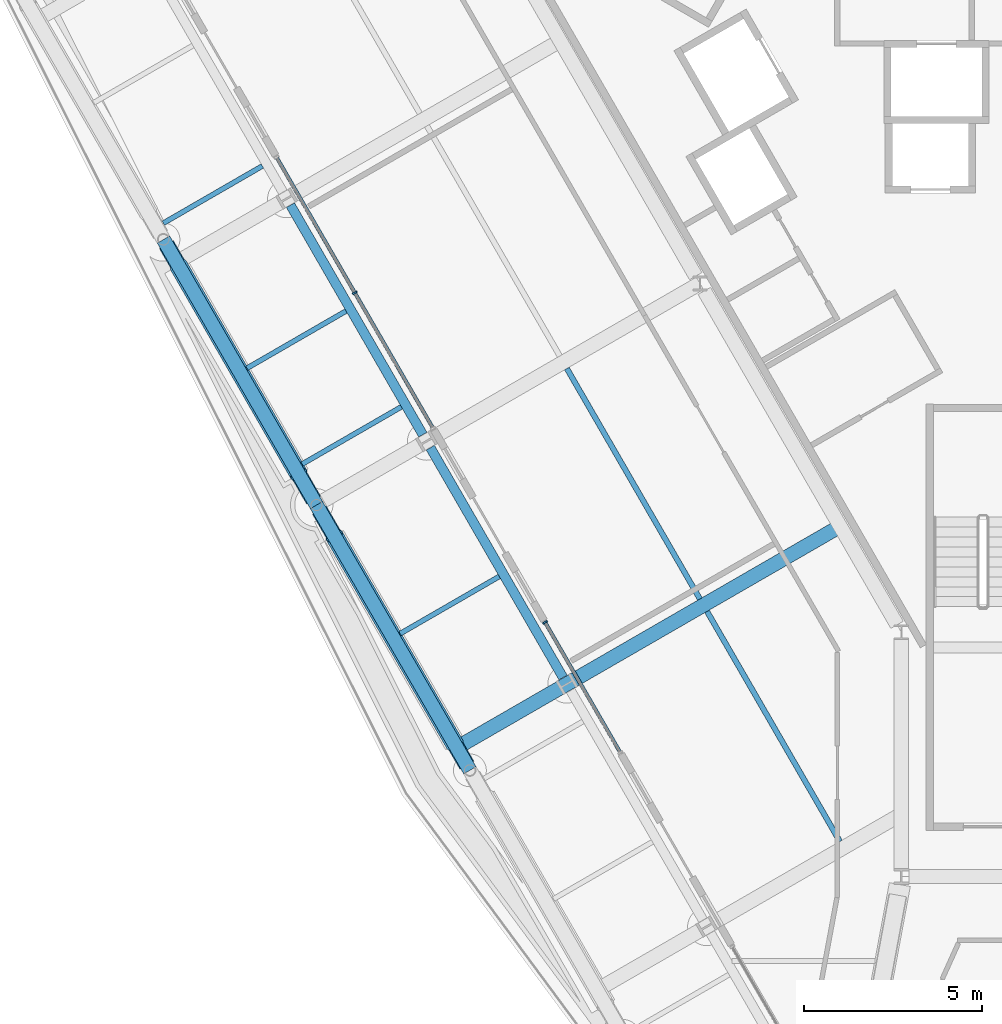
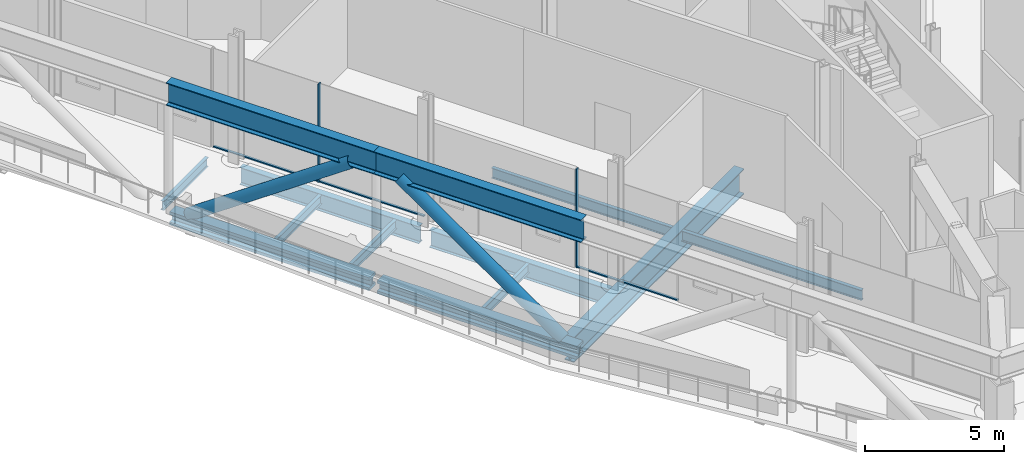
# One storey, part 6 of 26: 13 beams, 7 members, 2 elements without a shape of their own.
"""IFC4 building model written with IfcOpenShell, lengths in metres."""

from ifc_helpers import new_model, si_unit, direction, frame, origin, origin_2d, place, context, subcontext, project, spatial, rectangle, hollow_circle, i_section, extrude, material, material_profile, profile_set, type_object, element, aggregate, save


model = new_model("IFC4")

# Units and contexts
model_context = context("Model", 3, precision=1e-05, world=origin(), true_north=direction((0.0, 1.0)))
body_context = subcontext(model_context, "Body", "Model", "MODEL_VIEW")
ifc_project = project(units=[si_unit("LENGTHUNIT", "METRE"), si_unit("AREAUNIT", "SQUARE_METRE"), si_unit("VOLUMEUNIT", "CUBIC_METRE"), si_unit("PLANEANGLEUNIT", "RADIAN"), si_unit("MASSUNIT", "GRAM", prefix="KILO")], contexts=[model_context])

# Site, building, storey
site_placement = place(None, origin())
site = spatial("IfcSite", under=ifc_project, at=site_placement, CompositionType="ELEMENT")
building_placement = place(site_placement, origin())
building = spatial("IfcBuilding", under=site, at=building_placement, Name="Verrane Prism Tower", CompositionType="ELEMENT")
storey_placement = place(building_placement, frame((0.0, 0.0, 87.199951171875)))
storey = spatial("IfcBuildingStorey", under=building, at=storey_placement, Name="L20", CompositionType="ELEMENT", Elevation=87.199951171875)

# Beams
ifc_material_1 = material(Name="Steel A992", Category="steel")
ifc_material_profile_1 = material_profile(ifc_material_1, i_section(OverallWidth=0.45458984375, OverallDepth=0.56884765625, WebThickness=0.077880859375, FlangeThickness=0.124755859375, FilletRadius=0.01513671875, at=origin_2d()), Name="W14x730")
ifc_profile_set_1 = profile_set([ifc_material_profile_1], Name="Steel A992")
beam_type_1 = type_object("IfcBeamType", Name="Belt truss chord W14x730", PredefinedType="BEAM", material=ifc_profile_set_1)
beam_1_placement = place(storey_placement, frame((-22.998779296875, -3.5009765625, -0.445556640625), z_axis=(0.499237299608, -0.866465301486, 0.0), x_axis=(0.866465301486, 0.499237299608, 0.0)))
element("IfcBeam", 1, at=beam_1_placement, inside=storey, type_object=beam_type_1, Name="Belt truss chord L20", PredefinedType="BEAM", context=body_context, shape_type="SweptSolid", body=[
    extrude(i_section(OverallWidth=0.45458984375, OverallDepth=0.56884765625, WebThickness=0.077880859375, FlangeThickness=0.124755859375, FilletRadius=0.01513671875, at=origin_2d()), origin(), (0.0, 0.0, 1.0), 8.3076171875),
])
beam_2_placement = place(storey_placement, frame((-18.688720703125, -10.980712890625, -0.445556640625), z_axis=(0.500628270496, -0.865662367658, 0.0), x_axis=(0.865662367658, 0.500628270496, 0.0)))
element("IfcBeam", 2, at=beam_2_placement, inside=storey, type_object=beam_type_1, Name="Belt truss chord L20", PredefinedType="BEAM", context=body_context, shape_type="SweptSolid", body=[
    extrude(i_section(OverallWidth=0.45458984375, OverallDepth=0.56884765625, WebThickness=0.077880859375, FlangeThickness=0.124755859375, FilletRadius=0.01513671875, at=origin_2d()), origin(), (0.0, 0.0, 1.0), 8.303955078125),
])
ifc_material_2 = material(Name="Steel A992", Category="steel")
ifc_material_profile_2 = material_profile(ifc_material_2, i_section(OverallWidth=0.4013671875, OverallDepth=1.000732421875, WebThickness=0.01904296875, FlangeThickness=0.0361328125, FilletRadius=0.030029296875, at=origin_2d()), Name="W40x249")
ifc_profile_set_2 = profile_set([ifc_material_profile_2], Name="Steel A992")
beam_type_2 = type_object("IfcBeamType", Name="Belt truss chord W40x249", PredefinedType="BEAM", material=ifc_profile_set_2)
beam_3_placement = place(storey_placement, frame((-23.080078125, -3.360107421875, 4.939697265625), z_axis=(0.499260481273, -0.866451944333, 0.0), x_axis=(0.866451944333, 0.499260481273, 0.0)))
element("IfcBeam", 3, at=beam_3_placement, inside=storey, type_object=beam_type_2, Name="Belt truss chord L20", PredefinedType="BEAM", context=body_context, shape_type="SweptSolid", body=[
    extrude(i_section(OverallWidth=0.4013671875, OverallDepth=1.000732421875, WebThickness=0.01904296875, FlangeThickness=0.0361328125, FilletRadius=0.030029296875, at=origin_2d()), origin(), (0.0, 0.0, 1.0), 8.6328125),
])
beam_4_placement = place(storey_placement, frame((-18.77001953125, -10.840087890625, 4.939697265625), z_axis=(0.500632492922, -0.865659925739, 0.0), x_axis=(0.865659925739, 0.500632492922, 0.0)))
element("IfcBeam", 4, at=beam_4_placement, inside=storey, type_object=beam_type_2, Name="Belt truss chord L20", PredefinedType="BEAM", context=body_context, shape_type="SweptSolid", body=[
    extrude(i_section(OverallWidth=0.4013671875, OverallDepth=1.000732421875, WebThickness=0.01904296875, FlangeThickness=0.0361328125, FilletRadius=0.030029296875, at=origin_2d()), origin(), (0.0, 0.0, 1.0), 8.629150390625),
])

# Members
ifc_material_3 = material(Name="Steel A500 Grade C", Category="steel")
ifc_material_profile_3 = material_profile(ifc_material_3, hollow_circle(Radius=0.25390625, WallThickness=0.0126953125, at=origin_2d()), Name="HSS20.000x0.500")
ifc_profile_set_3 = profile_set([ifc_material_profile_3], Name="Steel A500 Grade C")
member_type_1 = type_object("IfcMemberType", Name="Belt truss diagonal HSS20.000x0.500", PredefinedType="BRACE", material=ifc_profile_set_3)
member_1_placement = place(storey_placement, frame((-22.657470703125, -4.093505859375, -0.160888671875), z_axis=(0.41018811742, -0.711830056506, 0.570126020264), x_axis=(0.866439987411, 0.499281231588, 0.0)))
element("IfcMember", 5, at=member_1_placement, inside=storey, type_object=member_type_1, Name="Belt truss diagonal L20", PredefinedType="BRACE", context=body_context, shape_type="SweptSolid", body=[
    extrude(hollow_circle(Radius=0.25390625, WallThickness=0.0126953125, at=origin_2d()), origin(), (0.0, 0.0, 1.0), 8.26123046875),
])
member_2_placement = place(storey_placement, frame((-14.873779296875, -17.577392578125, -0.160888671875), z_axis=(-0.41123483946, 0.711080643258, 0.570307132691), x_axis=(-0.865660263695, -0.50063190855, 0.0)))
element("IfcMember", 6, at=member_2_placement, inside=storey, type_object=member_type_1, Name="Belt truss diagonal L20", PredefinedType="BRACE", context=body_context, shape_type="SweptSolid", body=[
    extrude(hollow_circle(Radius=0.25390625, WallThickness=0.0126953125, at=origin_2d()), origin(), (0.0, 0.0, 1.0), 8.258544921875),
])

# Beams
ifc_material_4 = material(Name="Steel A992", Category="steel")
ifc_material_profile_4 = material_profile(ifc_material_4, i_section(OverallWidth=0.140380859375, OverallDepth=0.40380859375, WebThickness=0.007080078125, FlangeThickness=0.01123046875, FilletRadius=0.01025390625, at=origin_2d()), Name="W16x31")
ifc_profile_set_4 = profile_set([ifc_material_profile_4], Name="Steel A992")
beam_type_3 = type_object("IfcBeamType", Name="Floor beam W16x31", PredefinedType="BEAM", material=ifc_profile_set_4)
beam_5_placement = place(storey_placement, frame((-16.413330078125, -14.46044921875, -0.36181640625), z_axis=(0.86603284879, 0.49998710465, 0.0), x_axis=(-0.49998710465, 0.86603284879, 0.0)))
element("IfcBeam", 7, at=beam_5_placement, inside=storey, type_object=beam_type_3, Name="Floor beam L20", PredefinedType="BEAM", context=body_context, shape_type="SweptSolid", body=[
    extrude(i_section(OverallWidth=0.140380859375, OverallDepth=0.40380859375, WebThickness=0.007080078125, FlangeThickness=0.01123046875, FilletRadius=0.01025390625, at=origin_2d()), origin(), (0.0, 0.0, 1.0), 3.220703125),
])
beam_6_placement = place(storey_placement, frame((-19.173095703125, -9.684814453125, -0.36181640625), z_axis=(0.866072071821, 0.499919159876, 0.0), x_axis=(-0.499919159876, 0.866072071821, 0.0)))
element("IfcBeam", 8, at=beam_6_placement, inside=storey, type_object=beam_type_3, Name="Floor beam L20", PredefinedType="BEAM", context=body_context, shape_type="SweptSolid", body=[
    extrude(i_section(OverallWidth=0.140380859375, OverallDepth=0.40380859375, WebThickness=0.007080078125, FlangeThickness=0.01123046875, FilletRadius=0.01025390625, at=origin_2d()), origin(), (0.0, 0.0, 1.0), 3.22314453125),
])
beam_7_placement = place(storey_placement, frame((-20.728515625, -6.985595703125, -0.36181640625), z_axis=(0.866024054344, 0.500002337291, 0.0), x_axis=(-0.500002337291, 0.866024054344, 0.0)))
element("IfcBeam", 9, at=beam_7_placement, inside=storey, type_object=beam_type_3, Name="Floor beam L20", PredefinedType="BEAM", context=body_context, shape_type="SweptSolid", body=[
    extrude(i_section(OverallWidth=0.140380859375, OverallDepth=0.40380859375, WebThickness=0.007080078125, FlangeThickness=0.01123046875, FilletRadius=0.01025390625, at=origin_2d()), origin(), (0.0, 0.0, 1.0), 3.2216796875),
])
beam_8_placement = place(storey_placement, frame((-23.0830078125, -2.89990234375, -0.36181640625), z_axis=(0.866003733444, 0.500037532253, 0.0), x_axis=(-0.500037532253, 0.866003733444, 0.0)))
element("IfcBeam", 10, at=beam_8_placement, inside=storey, type_object=beam_type_3, Name="Floor beam L20", PredefinedType="BEAM", context=body_context, shape_type="SweptSolid", body=[
    extrude(i_section(OverallWidth=0.140380859375, OverallDepth=0.40380859375, WebThickness=0.007080078125, FlangeThickness=0.01123046875, FilletRadius=0.01025390625, at=origin_2d()), origin(), (0.0, 0.0, 1.0), 3.219482421875),
])
ifc_material_5 = material(Name="Steel A992", Category="steel")
ifc_material_profile_5 = material_profile(ifc_material_5, i_section(OverallWidth=0.15234375, OverallDepth=0.449462890625, WebThickness=0.007568359375, FlangeThickness=0.0107421875, FilletRadius=0.01025390625, at=origin_2d()), Name="W18x35")
ifc_profile_set_5 = profile_set([ifc_material_profile_5], Name="Steel A992")
beam_type_4 = type_object("IfcBeamType", Name="Floor beam W18x35", PredefinedType="BEAM", material=ifc_profile_set_5)
beam_9_placement = place(storey_placement, frame((-7.97119140625, -13.4853515625, -0.384765625), z_axis=(-0.500013821409, 0.866017423843, 0.0), x_axis=(-0.866017423843, -0.500013821409, 0.0)))
element("IfcBeam", 11, at=beam_9_placement, inside=storey, type_object=beam_type_4, Name="Floor beam L20", PredefinedType="BEAM", context=body_context, shape_type="SweptSolid", body=[
    extrude(i_section(OverallWidth=0.15234375, OverallDepth=0.449462890625, WebThickness=0.007568359375, FlangeThickness=0.0107421875, FilletRadius=0.01025390625, at=origin_2d()), origin(), (0.0, 0.0, 1.0), 7.494873046875),
])
beam_10_placement = place(storey_placement, frame((-4.02978515625, -20.314208984375, -0.384765625), z_axis=(-0.500010604671, 0.866019281088, 0.0), x_axis=(-0.866019281088, -0.500010604671, 0.0)))
element("IfcBeam", 12, at=beam_10_placement, inside=storey, type_object=beam_type_4, Name="Floor beam L20", PredefinedType="BEAM", context=body_context, shape_type="SweptSolid", body=[
    extrude(i_section(OverallWidth=0.15234375, OverallDepth=0.449462890625, WebThickness=0.007568359375, FlangeThickness=0.0107421875, FilletRadius=0.01025390625, at=origin_2d()), origin(), (0.0, 0.0, 1.0), 7.480712890625),
])

# Curtain wall, member
ifc_material_6 = material(Name="Aluminium framed insulated glazing", Category="aluminium")
curtain_wall_type = type_object("IfcCurtainWallType", Name="Curtain wall CW-C 4200 module", PredefinedType="NOTDEFINED", material=ifc_material_6)
curtain_wall_1_placement = place(storey_placement, origin())
curtain_wall_1 = element("IfcCurtainWall", 13, at=curtain_wall_1_placement, inside=storey, type_object=curtain_wall_type, Name="Refuge lounge glazing south-west face L20 2", PredefinedType="NOTDEFINED")
ifc_material_7 = material(Name="Aluminium alloy 6063-T6", Category="aluminium")
ifc_material_profile_6 = material_profile(ifc_material_7, rectangle(XDim=0.139892578125, YDim=0.050048828125, at=origin_2d()), Name="Mullion 50x140 aluminium")
ifc_profile_set_6 = profile_set([ifc_material_profile_6], Name="Aluminium alloy 6063-T6")
member_type_2 = type_object("IfcMemberType", Name="Mullion 50x140 aluminium", PredefinedType="MULLION", material=ifc_profile_set_6)
member_3_placement = place(storey_placement, frame((-17.6904296875, -4.861083984375, 0.0), z_axis=(0.0, 0.0, 1.0), x_axis=(0.866026283839, 0.499998475697, 0.0)))
member_3 = element("IfcMember", 14, at=member_3_placement, type_object=member_type_2, Name="CW20.4.2 mullion 2", PredefinedType="MULLION", context=body_context, shape_type="SweptSolid", body=[
    extrude(rectangle(XDim=0.139892578125, YDim=0.050048828125, at=origin_2d()), origin(), (0.0, 0.0, 1.0), 4.322509765625),
])

curtain_wall_2_placement = place(storey_placement, origin())
curtain_wall_2 = element("IfcCurtainWall", 15, at=curtain_wall_2_placement, inside=storey, type_object=curtain_wall_type, Name="Refuge lounge glazing south-west face L20 3", PredefinedType="NOTDEFINED")
member_4_placement = place(storey_placement, frame((-12.331787109375, -14.142578125, 0.0), z_axis=(0.0, 0.0, 1.0), x_axis=(0.866027737909, 0.499995957157, 0.0)))
member_4 = element("IfcMember", 16, at=member_4_placement, type_object=member_type_2, Name="CW20.4.3 mullion 1", PredefinedType="MULLION", context=body_context, shape_type="SweptSolid", body=[
    extrude(rectangle(XDim=0.139892578125, YDim=0.050048828125, at=origin_2d()), origin(), (0.0, 0.0, 1.0), 4.322509765625),
])

# Beams
ifc_material_8 = material(Name="Steel A992", Category="steel")
ifc_material_profile_7 = material_profile(ifc_material_8, i_section(OverallWidth=0.2666015625, OverallDepth=0.7568359375, WebThickness=0.013916015625, FlangeThickness=0.019287109375, FilletRadius=0.0166015625, at=origin_2d()), Name="W30x108")
ifc_profile_set_7 = profile_set([ifc_material_profile_7], Name="Steel A992")
beam_type_5 = type_object("IfcBeamType", Name="Spandrel beam W30x108", PredefinedType="SPANDREL", material=ifc_profile_set_7)
beam_11_placement = place(storey_placement, frame((-19.50390625, -2.393798828125, -0.538330078125), z_axis=(0.499694123976, -0.866201929381, 0.0), x_axis=(0.866201929381, 0.499694123976, 0.0)))
element("IfcBeam", 17, at=beam_11_placement, inside=storey, type_object=beam_type_5, Name="Spandrel beam L20", PredefinedType="SPANDREL", context=body_context, shape_type="SweptSolid", body=[
    extrude(i_section(OverallWidth=0.2666015625, OverallDepth=0.7568359375, WebThickness=0.013916015625, FlangeThickness=0.019287109375, FilletRadius=0.0166015625, at=origin_2d()), origin(), (0.0, 0.0, 1.0), 7.460693359375),
])
beam_12_placement = place(storey_placement, frame((-15.56396484375, -9.2236328125, -0.538330078125), z_axis=(0.500080587159, -0.865978871767, 0.0), x_axis=(0.865978871767, 0.500080587159, 0.0)))
element("IfcBeam", 18, at=beam_12_placement, inside=storey, type_object=beam_type_5, Name="Spandrel beam L20", PredefinedType="SPANDREL", context=body_context, shape_type="SweptSolid", body=[
    extrude(i_section(OverallWidth=0.2666015625, OverallDepth=0.7568359375, WebThickness=0.013916015625, FlangeThickness=0.019287109375, FilletRadius=0.0166015625, at=origin_2d()), origin(), (0.0, 0.0, 1.0), 7.474365234375),
])
ifc_material_9 = material(Name="Steel A992", Category="steel")
ifc_material_profile_8 = material_profile(ifc_material_9, i_section(OverallWidth=0.40380859375, OverallDepth=1.11767578125, WebThickness=0.026123046875, FlangeThickness=0.044921875, FilletRadius=0.02001953125, at=origin_2d()), Name="W44x335")
ifc_profile_set_8 = profile_set([ifc_material_profile_8], Name="Steel A992")
beam_type_6 = type_object("IfcBeamType", Name="Transfer girder W44x335", PredefinedType="BEAM", material=ifc_profile_set_8)
beam_13_placement = place(storey_placement, frame((-14.62353515625, -17.556396484375, -0.71875), z_axis=(0.866021505988, 0.50000675112, 0.0), x_axis=(-0.50000675112, 0.866021505988, 0.0)))
element("IfcBeam", 19, at=beam_13_placement, inside=storey, type_object=beam_type_6, Name="Transfer girder L20", PredefinedType="BEAM", context=body_context, shape_type="SweptSolid", body=[
    extrude(i_section(OverallWidth=0.40380859375, OverallDepth=1.11767578125, WebThickness=0.026123046875, FlangeThickness=0.044921875, FilletRadius=0.02001953125, at=origin_2d()), origin(), (0.0, 0.0, 1.0), 12.240478515625),
])

# Member
ifc_material_10 = material(Name="Aluminium alloy 6063-T6", Category="aluminium")
ifc_material_profile_9 = material_profile(ifc_material_10, rectangle(XDim=0.10009765625, YDim=0.050048828125, at=origin_2d()), Name="Transom 50x100 aluminium")
ifc_profile_set_9 = profile_set([ifc_material_profile_9], Name="Aluminium alloy 6063-T6")
member_type_3 = type_object("IfcMemberType", Name="Transom 50x100 aluminium", PredefinedType="USERDEFINED", material=ifc_profile_set_9)
member_5_placement = place(storey_placement, frame((-19.881591796875, -1.06591796875, 0.025146484375), z_axis=(0.499977905081, -0.866038159916, 0.0), x_axis=(0.866038159916, 0.499977905081, 0.0)))
member_5 = element("IfcMember", 20, at=member_5_placement, type_object=member_type_3, Name="CW20.4.2 transom 1", ObjectType="TRANSOM", PredefinedType="USERDEFINED", context=body_context, shape_type="SweptSolid", body=[
    extrude(rectangle(XDim=0.10009765625, YDim=0.050048828125, at=origin_2d()), origin(), (0.0, 0.0, 1.0), 4.357177734375),
])

member_6_placement = place(storey_placement, frame((-17.677978515625, -4.8828125, 0.025146484375), z_axis=(0.499977905081, -0.866038159916, 0.0), x_axis=(0.866038159916, 0.499977905081, 0.0)))
member_6 = element("IfcMember", 21, at=member_6_placement, type_object=member_type_3, Name="CW20.4.2 transom 2", ObjectType="TRANSOM", PredefinedType="USERDEFINED", context=body_context, shape_type="SweptSolid", body=[
    extrude(rectangle(XDim=0.10009765625, YDim=0.050048828125, at=origin_2d()), origin(), (0.0, 0.0, 1.0), 4.357177734375),
])

aggregate(curtain_wall_1, [member_3, member_5, member_6])

member_7_placement = place(storey_placement, frame((-12.3193359375, -14.164306640625, 0.025146484375), z_axis=(0.499986840292, -0.866033001412, 0.0), x_axis=(0.866033001412, 0.499986840292, 0.0)))
member_7 = element("IfcMember", 22, at=member_7_placement, type_object=member_type_3, Name="CW20.4.3 transom 1", ObjectType="TRANSOM", PredefinedType="USERDEFINED", context=body_context, shape_type="SweptSolid", body=[
    extrude(rectangle(XDim=0.10009765625, YDim=0.050048828125, at=origin_2d()), origin(), (0.0, 0.0, 1.0), 4.18310546875),
])

aggregate(curtain_wall_2, [member_4, member_7])

save(model, "model.ifc")
